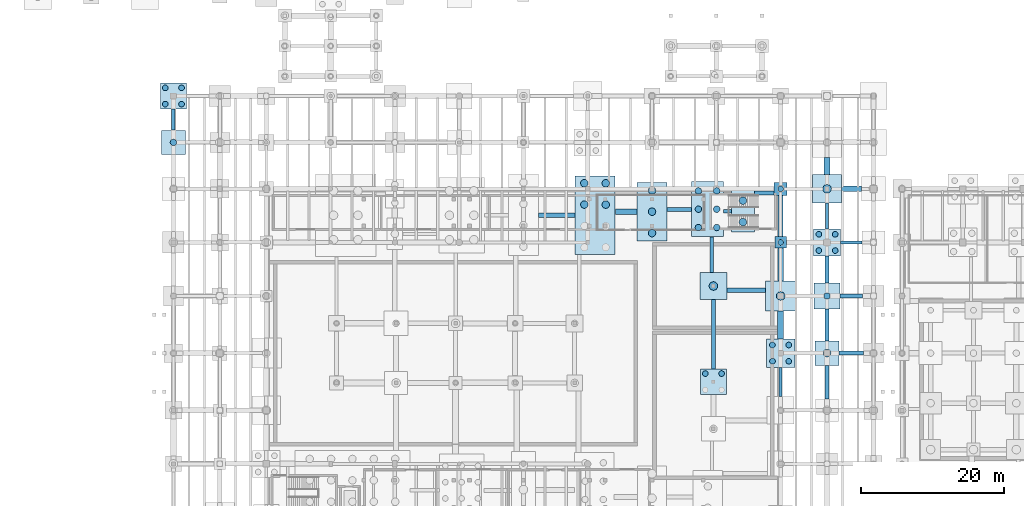
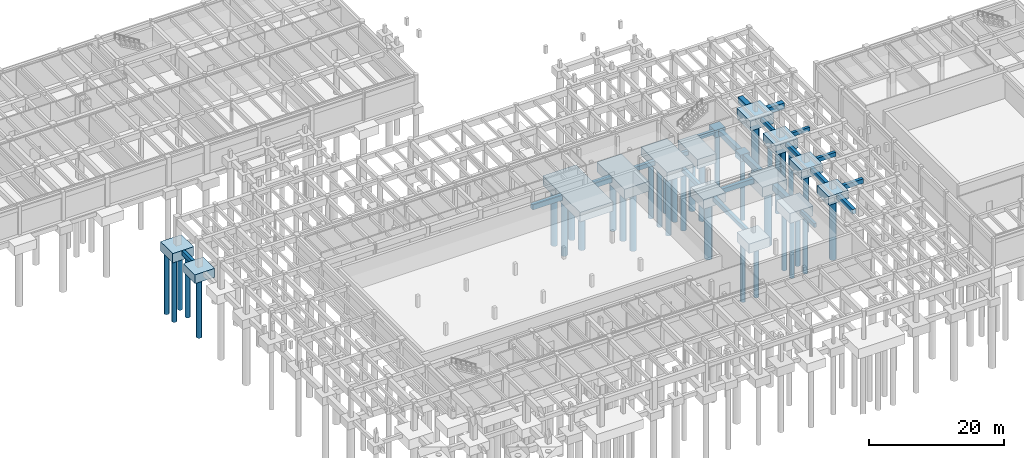
# One storey, part 6 of 36: 38 footings, 37 piles.
"""IFC4 building model written with IfcOpenShell, lengths in metres."""

from ifc_helpers import new_model, si_unit, direction, frame, origin, origin_2d, place, context, subcontext, project, spatial, polyline, circle, outline, extrude, material, material_profile, profile_set, type_object, element, save


model = new_model("IFC4")

# Units and contexts
model_context = context("Model", 3, precision=1e-05, world=origin(), true_north=direction((0.0, 1.0)))
body_context = subcontext(model_context, "Body", "Model", "MODEL_VIEW")
ifc_project = project(units=[si_unit("LENGTHUNIT", "METRE"), si_unit("AREAUNIT", "SQUARE_METRE"), si_unit("VOLUMEUNIT", "CUBIC_METRE"), si_unit("PLANEANGLEUNIT", "RADIAN"), si_unit("MASSUNIT", "GRAM", prefix="KILO"), si_unit("THERMODYNAMICTEMPERATUREUNIT", "KELVIN"), si_unit("POWERUNIT", "WATT")], contexts=[model_context])

# Site, building, storey
site_placement = place(None, origin())
site = spatial("IfcSite", under=ifc_project, at=site_placement, CompositionType="ELEMENT")
building_placement = place(site_placement, origin())
building = spatial("IfcBuilding", under=site, at=building_placement, Name="Tepalcoro Natatorium and Aquatics Centre", CompositionType="ELEMENT")
storey_placement = place(building_placement, frame((0.0, 0.0, -5.199951171875)))
storey = spatial("IfcBuildingStorey", under=building, at=storey_placement, Name="B1", CompositionType="ELEMENT", Elevation=-5.199951171875)

# Footings
ifc_material = material(Name="Concrete C40/50 (fc 40 MPa)", Category="concrete")
footing_type_1 = type_object("IfcFootingType", Name="FB_450x700", PredefinedType="FOOTING_BEAM", material=ifc_material)
footing_1_placement = place(storey_placement, frame((0.0, 0.0, -0.699951171875)))
element("IfcFooting", 1, at=footing_1_placement, inside=storey, type_object=footing_type_1, Name="V1 B1 Foundation Tie Beam X", PredefinedType="FOOTING_BEAM", context=body_context, shape_type="SweptSolid", body=[
    extrude(outline(polyline([(133.405029296875, 51.27490234375), (136.39501953125, 51.27490234375), (136.39501953125, 51.72509765625), (133.405029296875, 51.72509765625), (133.405029296875, 51.27490234375)])), origin(), (0.0, 0.0, 1.0), 0.699951171875),
])
footing_2_placement = place(storey_placement, frame((0.0, 0.0, -1.199951171875)))
element("IfcFooting", 2, at=footing_2_placement, inside=storey, type_object=footing_type_1, Name="V1 B1 Foundation Tie Beam Y", PredefinedType="FOOTING_BEAM", context=body_context, shape_type="SweptSolid", body=[
    extrude(outline(polyline([(125.22509765625, 29.905029296875), (125.22509765625, 33.9951171875), (124.77490234375, 33.9951171875), (124.77490234375, 29.905029296875), (125.22509765625, 29.905029296875)])), origin(), (0.0, 0.0, 1.0), 0.699951171875),
])
footing_3_placement = place(storey_placement, frame((0.0, 0.0, -0.699951171875)))
element("IfcFooting", 3, at=footing_3_placement, inside=storey, type_object=footing_type_1, Name="V1 B1 Foundation Tie Beam Y", PredefinedType="FOOTING_BEAM", context=body_context, shape_type="SweptSolid", body=[
    extrude(outline(polyline([(131.72509765625, 53.405029296875), (131.72509765625, 56.9951171875), (131.27490234375, 56.9951171875), (131.27490234375, 53.405029296875), (131.72509765625, 53.405029296875)])), origin(), (0.0, 0.0, 1.0), 0.699951171875),
])
footing_type_2 = type_object("IfcFootingType", Name="FB_500x750", PredefinedType="FOOTING_BEAM", material=ifc_material)
footing_4_placement = place(storey_placement, frame((0.0, 0.0, -1.25)))
element("IfcFooting", 4, at=footing_4_placement, inside=storey, type_object=footing_type_2, Name="V1 B1 Foundation Tie Beam X", PredefinedType="FOOTING_BEAM", context=body_context, shape_type="SweptSolid", body=[
    extrude(outline(polyline([(117.0048828125, 55.60009765625), (118.1201171875, 55.60009765625), (118.1201171875, 56.10009765625), (117.0048828125, 56.10009765625), (117.0048828125, 55.60009765625)])), origin(), (0.0, 0.0, 1.0), 0.75),
])
footing_5_placement = place(storey_placement, frame((0.0, 0.0, -1.25)))
element("IfcFooting", 5, at=footing_5_placement, inside=storey, type_object=footing_type_2, Name="V1 B1 Foundation Tie Beam X", PredefinedType="FOOTING_BEAM", context=body_context, shape_type="SweptSolid", body=[
    extrude(outline(polyline([(121.330078125, 58.175048828125), (124.094970703125, 58.175048828125), (124.094970703125, 58.675048828125), (121.330078125, 58.675048828125), (121.330078125, 58.175048828125)])), origin(), (0.0, 0.0, 1.0), 0.75),
])
footing_6_placement = place(storey_placement, frame((0.0, 0.0, -0.75)))
element("IfcFooting", 6, at=footing_6_placement, inside=storey, type_object=footing_type_2, Name="V1 B1 Foundation Tie Beam X", PredefinedType="FOOTING_BEAM", context=body_context, shape_type="SweptSolid", body=[
    extrude(outline(polyline([(133.304931640625, 43.75), (136.4951171875, 43.75), (136.4951171875, 44.25), (133.304931640625, 44.25), (133.304931640625, 43.75)])), origin(), (0.0, 0.0, 1.0), 0.75),
])
footing_7_placement = place(storey_placement, frame((0.0, 0.0, -0.75)))
element("IfcFooting", 7, at=footing_7_placement, inside=storey, type_object=footing_type_2, Name="V1 B1 Foundation Tie Beam Y", PredefinedType="FOOTING_BEAM", context=body_context, shape_type="SweptSolid", body=[
    extrude(outline(polyline([(40.25, 67.205078125), (40.25, 70.195068359375), (39.75, 70.195068359375), (39.75, 67.205078125), (40.25, 67.205078125)])), origin(), (0.0, 0.0, 1.0), 0.75),
])
footing_8_placement = place(storey_placement, frame((0.0, 0.0, -1.25)))
element("IfcFooting", 8, at=footing_8_placement, inside=storey, type_object=footing_type_2, Name="V1 B1 Foundation Tie Beam Y", PredefinedType="FOOTING_BEAM", context=body_context, shape_type="SweptSolid", body=[
    extrude(outline(polyline([(115.60009765625, 47.304931640625), (115.60009765625, 52.294921875), (115.10009765625, 52.294921875), (115.10009765625, 47.304931640625), (115.60009765625, 47.304931640625)])), origin(), (0.0, 0.0, 1.0), 0.75),
])
footing_9_placement = place(storey_placement, frame((0.0, 0.0, -0.75)))
element("IfcFooting", 9, at=footing_9_placement, inside=storey, type_object=footing_type_2, Name="V1 B1 Foundation Tie Beam Y", PredefinedType="FOOTING_BEAM", context=body_context, shape_type="SweptSolid", body=[
    extrude(outline(polyline([(131.75, 45.804931640625), (131.75, 49.594970703125), (131.25, 49.594970703125), (131.25, 45.804931640625), (131.75, 45.804931640625)])), origin(), (0.0, 0.0, 1.0), 0.75),
])
footing_type_3 = type_object("IfcFootingType", Name="FB_550x800", PredefinedType="FOOTING_BEAM", material=ifc_material)
footing_10_placement = place(storey_placement, frame((0.0, 0.0, -1.300048828125)))
element("IfcFooting", 10, at=footing_10_placement, inside=storey, type_object=footing_type_3, Name="V1 B1 Foundation Tie Beam X", PredefinedType="FOOTING_BEAM", context=body_context, shape_type="SweptSolid", body=[
    extrude(outline(polyline([(109.10498046875, 55.824951171875), (112.544921875, 55.824951171875), (112.544921875, 56.375), (109.10498046875, 56.375), (109.10498046875, 55.824951171875)])), origin(), (0.0, 0.0, 1.0), 0.800048828125),
])
footing_11_placement = place(storey_placement, frame((0.0, 0.0, -0.800048828125)))
element("IfcFooting", 11, at=footing_11_placement, inside=storey, type_object=footing_type_3, Name="V1 B1 Foundation Tie Beam X", PredefinedType="FOOTING_BEAM", context=body_context, shape_type="SweptSolid", body=[
    extrude(outline(polyline([(133.205078125, 35.72509765625), (136.594970703125, 35.72509765625), (136.594970703125, 36.27490234375), (133.205078125, 36.27490234375), (133.205078125, 35.72509765625)])), origin(), (0.0, 0.0, 1.0), 0.800048828125),
])
footing_12_placement = place(storey_placement, frame((0.0, 0.0, -1.300048828125)))
element("IfcFooting", 12, at=footing_12_placement, inside=storey, type_object=footing_type_3, Name="V1 B1 Foundation Tie Beam Y", PredefinedType="FOOTING_BEAM", context=body_context, shape_type="SweptSolid", body=[
    extrude(outline(polyline([(115.875, 33.804931640625), (115.875, 43.4951171875), (115.324951171875, 43.4951171875), (115.324951171875, 33.804931640625), (115.875, 33.804931640625)])), origin(), (0.0, 0.0, 1.0), 0.800048828125),
])
footing_13_placement = place(storey_placement, frame((0.0, 0.0, -0.800048828125)))
element("IfcFooting", 13, at=footing_13_placement, inside=storey, type_object=footing_type_3, Name="V1 B1 Foundation Tie Beam Y", PredefinedType="FOOTING_BEAM", context=body_context, shape_type="SweptSolid", body=[
    extrude(outline(polyline([(131.77490234375, 37.705078125), (131.77490234375, 42.195068359375), (131.22509765625, 42.195068359375), (131.22509765625, 37.705078125), (131.77490234375, 37.705078125)])), origin(), (0.0, 0.0, 1.0), 0.800048828125),
])
footing_type_4 = type_object("IfcFootingType", Name="FB_600x850", PredefinedType="FOOTING_BEAM", material=ifc_material)
footing_14_placement = place(storey_placement, frame((0.0, 0.0, -1.35009765625)))
element("IfcFooting", 14, at=footing_14_placement, inside=storey, type_object=footing_type_4, Name="V1 B1 Foundation Tie Beam X", PredefinedType="FOOTING_BEAM", context=body_context, shape_type="SweptSolid", body=[
    extrude(outline(polyline([(117.5048828125, 44.5), (122.89501953125, 44.5), (122.89501953125, 45.10009765625), (117.5048828125, 45.10009765625), (117.5048828125, 44.5)])), origin(), (0.0, 0.0, 1.0), 0.85009765625),
])
footing_15_placement = place(storey_placement, frame((0.0, 0.0, -0.85009765625)))
element("IfcFooting", 15, at=footing_15_placement, inside=storey, type_object=footing_type_4, Name="V1 B1 Foundation Tie Beam Y", PredefinedType="FOOTING_BEAM", context=body_context, shape_type="SweptSolid", body=[
    extrude(outline(polyline([(131.800048828125, 29.60498046875), (131.800048828125, 34.294921875), (131.199951171875, 34.294921875), (131.199951171875, 29.60498046875), (131.800048828125, 29.60498046875)])), origin(), (0.0, 0.0, 1.0), 0.85009765625),
])
footing_type_5 = type_object("IfcFootingType", Name="FB_650x900", PredefinedType="FOOTING_BEAM", material=ifc_material)
footing_16_placement = place(storey_placement, frame((0.0, 0.0, -1.400146484375)))
element("IfcFooting", 16, at=footing_16_placement, inside=storey, type_object=footing_type_5, Name="V1 B1 Foundation Tie Beam X", PredefinedType="FOOTING_BEAM", context=body_context, shape_type="SweptSolid", body=[
    extrude(outline(polyline([(91.10498046875, 54.97509765625), (96.195068359375, 54.97509765625), (96.195068359375, 55.625), (91.10498046875, 55.625), (91.10498046875, 54.97509765625)])), origin(), (0.0, 0.0, 1.0), 0.900146484375),
])
footing_type_6 = type_object("IfcFootingType", Name="FB_700x950", PredefinedType="FOOTING_BEAM", material=ifc_material)
footing_17_placement = place(storey_placement, frame((0.0, 0.0, -1.449951171875)))
element("IfcFooting", 17, at=footing_17_placement, inside=storey, type_object=footing_type_6, Name="V1 B1 Foundation Tie Beam Y", PredefinedType="FOOTING_BEAM", context=body_context, shape_type="SweptSolid", body=[
    extrude(outline(polyline([(125.35009765625, 52.304931640625), (125.35009765625, 58.094970703125), (124.64990234375, 58.094970703125), (124.64990234375, 52.304931640625), (125.35009765625, 52.304931640625)])), origin(), (0.0, 0.0, 1.0), 0.949951171875),
])
footing_type_7 = type_object("IfcFootingType", Name="FB_750x1000", PredefinedType="FOOTING_BEAM", material=ifc_material)
footing_18_placement = place(storey_placement, frame((0.0, 0.0, -1.5)))
element("IfcFooting", 18, at=footing_18_placement, inside=storey, type_object=footing_type_7, Name="V1 B1 Foundation Tie Beam X", PredefinedType="FOOTING_BEAM", context=body_context, shape_type="SweptSolid", body=[
    extrude(outline(polyline([(101.85498046875, 55.425048828125), (104.89501953125, 55.425048828125), (104.89501953125, 56.175048828125), (101.85498046875, 56.175048828125), (101.85498046875, 55.425048828125)])), origin(), (0.0, 0.0, 1.0), 1.0),
])
footing_19_placement = place(storey_placement, frame((0.0, 0.0, -1.5)))
element("IfcFooting", 19, at=footing_19_placement, inside=storey, type_object=footing_type_7, Name="V1 B1 Foundation Tie Beam Y", PredefinedType="FOOTING_BEAM", context=body_context, shape_type="SweptSolid", body=[
    extrude(outline(polyline([(125.375, 46.10498046875), (125.375, 50.695068359375), (124.625, 50.695068359375), (124.625, 46.10498046875), (125.375, 46.10498046875)])), origin(), (0.0, 0.0, 1.0), 1.0),
])
footing_type_8 = type_object("IfcFootingType", Name="FB_800x1100", PredefinedType="FOOTING_BEAM", material=ifc_material)
footing_20_placement = place(storey_placement, frame((0.0, 0.0, -1.10009765625)))
element("IfcFooting", 20, at=footing_20_placement, inside=storey, type_object=footing_type_8, Name="V1 B1 Foundation Tie Beam X", PredefinedType="FOOTING_BEAM", context=body_context, shape_type="SweptSolid", body=[
    extrude(outline(polyline([(133.5048828125, 58.60009765625), (136.294921875, 58.60009765625), (136.294921875, 59.39990234375), (133.5048828125, 59.39990234375), (133.5048828125, 58.60009765625)])), origin(), (0.0, 0.0, 1.0), 1.10009765625),
])
footing_21_placement = place(storey_placement, frame((0.0, 0.0, -1.60009765625)))
element("IfcFooting", 21, at=footing_21_placement, inside=storey, type_object=footing_type_8, Name="V1 B1 Foundation Tie Beam Y", PredefinedType="FOOTING_BEAM", context=body_context, shape_type="SweptSolid", body=[
    extrude(outline(polyline([(125.39990234375, 38.0048828125), (125.39990234375, 41.89501953125), (124.60009765625, 41.89501953125), (124.60009765625, 38.0048828125), (125.39990234375, 38.0048828125)])), origin(), (0.0, 0.0, 1.0), 1.10009765625),
])
footing_22_placement = place(storey_placement, frame((0.0, 0.0, -1.10009765625)))
element("IfcFooting", 22, at=footing_22_placement, inside=storey, type_object=footing_type_8, Name="V1 B1 Foundation Tie Beam Y", PredefinedType="FOOTING_BEAM", context=body_context, shape_type="SweptSolid", body=[
    extrude(outline(polyline([(131.89990234375, 61.0048828125), (131.89990234375, 63.39501953125), (131.10009765625, 63.39501953125), (131.10009765625, 61.0048828125), (131.89990234375, 61.0048828125)])), origin(), (0.0, 0.0, 1.0), 1.10009765625),
])
footing_type_9 = type_object("IfcFootingType", Name="PC_1600x1600x1200", PredefinedType="PILE_CAP", material=ifc_material)
footing_23_placement = place(storey_placement, frame((0.0, 0.0, -1.699951171875)))
element("IfcFooting", 23, at=footing_23_placement, inside=storey, type_object=footing_type_9, Name="V1 Reinforced Concrete Pile Cap 106", PredefinedType="PILE_CAP", context=body_context, shape_type="SweptSolid", body=[
    extrude(outline(polyline([(124.199951171875, 50.699951171875), (125.800048828125, 50.699951171875), (125.800048828125, 52.300048828125), (124.199951171875, 52.300048828125), (124.199951171875, 50.699951171875)])), origin(), (0.0, 0.0, 1.0), 1.199951171875),
])
footing_type_10 = type_object("IfcFootingType", Name="PC_1800x1800x1300", PredefinedType="PILE_CAP", material=ifc_material)
footing_24_placement = place(storey_placement, frame((0.0, 0.0, -1.800048828125)))
element("IfcFooting", 24, at=footing_24_placement, inside=storey, type_object=footing_type_10, Name="V1 Reinforced Concrete Pile Cap 105", PredefinedType="PILE_CAP", context=body_context, shape_type="SweptSolid", body=[
    extrude(outline(polyline([(124.10009765625, 58.10009765625), (125.89990234375, 58.10009765625), (125.89990234375, 59.89990234375), (124.10009765625, 59.89990234375), (124.10009765625, 58.10009765625)])), origin(), (0.0, 0.0, 1.0), 1.300048828125),
])
footing_type_11 = type_object("IfcFootingType", Name="PC_3000x3000x1600", PredefinedType="PILE_CAP", material=ifc_material)
footing_25_placement = place(storey_placement, frame((0.0, 0.0, -2.10009765625)))
element("IfcFooting", 25, at=footing_25_placement, inside=storey, type_object=footing_type_11, Name="V1 Reinforced Concrete Pile Cap 86", PredefinedType="PILE_CAP", context=body_context, shape_type="SweptSolid", body=[
    extrude(outline(polyline([(112.550048828125, 52.300048828125), (117.0, 52.300048828125), (117.0, 60.0), (112.550048828125, 60.0), (112.550048828125, 52.300048828125)])), origin(), (0.0, 0.0, 1.0), 1.60009765625),
])
footing_type_12 = type_object("IfcFootingType", Name="PC_3200x5800x1700", PredefinedType="PILE_CAP", material=ifc_material)
footing_26_placement = place(storey_placement, frame((0.0, 0.0, -2.199951171875)))
element("IfcFooting", 26, at=footing_26_placement, inside=storey, type_object=footing_type_12, Name="V1 Reinforced Concrete Pile Cap 95", PredefinedType="PILE_CAP", context=body_context, shape_type="SweptSolid", body=[
    extrude(outline(polyline([(118.125, 52.949951171875), (121.324951171875, 52.949951171875), (121.324951171875, 58.75), (118.125, 58.75), (118.125, 52.949951171875)])), origin(), (0.0, 0.0, 1.0), 1.699951171875),
])
footing_type_13 = type_object("IfcFootingType", Name="PC_3400x3400x1600", PredefinedType="PILE_CAP", material=ifc_material)
footing_27_placement = place(storey_placement, frame((0.0, 0.0, -1.60009765625)))
element("IfcFooting", 27, at=footing_27_placement, inside=storey, type_object=footing_type_13, Name="V1 Reinforced Concrete Pile Cap 2", PredefinedType="PILE_CAP", context=body_context, shape_type="SweptSolid", body=[
    extrude(outline(polyline([(38.300048828125, 63.800048828125), (41.699951171875, 63.800048828125), (41.699951171875, 67.199951171875), (38.300048828125, 67.199951171875), (38.300048828125, 63.800048828125)])), origin(), (0.0, 0.0, 1.0), 1.60009765625),
])
footing_28_placement = place(storey_placement, frame((0.0, 0.0, -1.60009765625)))
element("IfcFooting", 28, at=footing_28_placement, inside=storey, type_object=footing_type_13, Name="V1 Reinforced Concrete Pile Cap 111", PredefinedType="PILE_CAP", context=body_context, shape_type="SweptSolid", body=[
    extrude(outline(polyline([(129.800048828125, 34.300048828125), (133.199951171875, 34.300048828125), (133.199951171875, 37.699951171875), (129.800048828125, 37.699951171875), (129.800048828125, 34.300048828125)])), origin(), (0.0, 0.0, 1.0), 1.60009765625),
])
footing_type_14 = type_object("IfcFootingType", Name="PC_3600x3600x1700", PredefinedType="PILE_CAP", material=ifc_material)
footing_29_placement = place(storey_placement, frame((0.0, 0.0, -1.699951171875)))
element("IfcFooting", 29, at=footing_29_placement, inside=storey, type_object=footing_type_14, Name="V1 Reinforced Concrete Pile Cap 1", PredefinedType="PILE_CAP", context=body_context, shape_type="SweptSolid", body=[
    extrude(outline(polyline([(38.199951171875, 70.199951171875), (41.800048828125, 70.199951171875), (41.800048828125, 73.800048828125), (38.199951171875, 73.800048828125), (38.199951171875, 70.199951171875)])), origin(), (0.0, 0.0, 1.0), 1.699951171875),
])
footing_30_placement = place(storey_placement, frame((0.0, 0.0, -2.199951171875)))
element("IfcFooting", 30, at=footing_30_placement, inside=storey, type_object=footing_type_14, Name="V1 Reinforced Concrete Pile Cap 75", PredefinedType="PILE_CAP", context=body_context, shape_type="SweptSolid", body=[
    extrude(outline(polyline([(96.199951171875, 49.800048828125), (101.85009765625, 49.800048828125), (101.85009765625, 60.800048828125), (96.199951171875, 60.800048828125), (96.199951171875, 49.800048828125)])), origin(), (0.0, 0.0, 1.0), 1.699951171875),
])
footing_31_placement = place(storey_placement, frame((0.0, 0.0, -2.199951171875)))
element("IfcFooting", 31, at=footing_31_placement, inside=storey, type_object=footing_type_14, Name="V1 Reinforced Concrete Pile Cap 89", PredefinedType="PILE_CAP", context=body_context, shape_type="SweptSolid", body=[
    extrude(outline(polyline([(113.800048828125, 30.199951171875), (117.39990234375, 30.199951171875), (117.39990234375, 33.800048828125), (113.800048828125, 33.800048828125), (113.800048828125, 30.199951171875)])), origin(), (0.0, 0.0, 1.0), 1.699951171875),
])
footing_32_placement = place(storey_placement, frame((0.0, 0.0, -1.699951171875)))
element("IfcFooting", 32, at=footing_32_placement, inside=storey, type_object=footing_type_14, Name="V1 Reinforced Concrete Pile Cap 110", PredefinedType="PILE_CAP", context=body_context, shape_type="SweptSolid", body=[
    extrude(outline(polyline([(129.699951171875, 42.199951171875), (133.300048828125, 42.199951171875), (133.300048828125, 45.800048828125), (129.699951171875, 45.800048828125), (129.699951171875, 42.199951171875)])), origin(), (0.0, 0.0, 1.0), 1.699951171875),
])
footing_type_15 = type_object("IfcFootingType", Name="PC_3800x3800x1700", PredefinedType="PILE_CAP", material=ifc_material)
footing_33_placement = place(storey_placement, frame((0.0, 0.0, -2.199951171875)))
element("IfcFooting", 33, at=footing_33_placement, inside=storey, type_object=footing_type_15, Name="V1 Reinforced Concrete Pile Cap 88", PredefinedType="PILE_CAP", context=body_context, shape_type="SweptSolid", body=[
    extrude(outline(polyline([(113.699951171875, 43.5), (117.5, 43.5), (117.5, 47.300048828125), (113.699951171875, 47.300048828125), (113.699951171875, 43.5)])), origin(), (0.0, 0.0, 1.0), 1.699951171875),
])
footing_34_placement = place(storey_placement, frame((0.0, 0.0, -1.699951171875)))
element("IfcFooting", 34, at=footing_34_placement, inside=storey, type_object=footing_type_15, Name="V1 Reinforced Concrete Pile Cap 109", PredefinedType="PILE_CAP", context=body_context, shape_type="SweptSolid", body=[
    extrude(outline(polyline([(129.60009765625, 49.60009765625), (133.39990234375, 49.60009765625), (133.39990234375, 53.39990234375), (129.60009765625, 53.39990234375), (129.60009765625, 49.60009765625)])), origin(), (0.0, 0.0, 1.0), 1.699951171875),
])
footing_type_16 = type_object("IfcFootingType", Name="PC_4000x4000x1800", PredefinedType="PILE_CAP", material=ifc_material)
footing_35_placement = place(storey_placement, frame((0.0, 0.0, -2.300048828125)))
element("IfcFooting", 35, at=footing_35_placement, inside=storey, type_object=footing_type_16, Name="V1 Reinforced Concrete Pile Cap 97", PredefinedType="PILE_CAP", context=body_context, shape_type="SweptSolid", body=[
    extrude(outline(polyline([(123.0, 34.0), (127.0, 34.0), (127.0, 38.0), (123.0, 38.0), (123.0, 34.0)])), origin(), (0.0, 0.0, 1.0), 1.800048828125),
])
footing_36_placement = place(storey_placement, frame((0.0, 0.0, -1.800048828125)))
element("IfcFooting", 36, at=footing_36_placement, inside=storey, type_object=footing_type_16, Name="V1 Reinforced Concrete Pile Cap 108", PredefinedType="PILE_CAP", context=body_context, shape_type="SweptSolid", body=[
    extrude(outline(polyline([(129.5, 57.0), (133.5, 57.0), (133.5, 61.0), (129.5, 61.0), (129.5, 57.0)])), origin(), (0.0, 0.0, 1.0), 1.800048828125),
])
footing_type_17 = type_object("IfcFootingType", Name="PC_4200x4200x1800", PredefinedType="PILE_CAP", material=ifc_material)
footing_37_placement = place(storey_placement, frame((0.0, 0.0, -2.300048828125)))
element("IfcFooting", 37, at=footing_37_placement, inside=storey, type_object=footing_type_17, Name="V1 Reinforced Concrete Pile Cap 79", PredefinedType="PILE_CAP", context=body_context, shape_type="SweptSolid", body=[
    extrude(outline(polyline([(104.89990234375, 51.699951171875), (109.10009765625, 51.699951171875), (109.10009765625, 59.89990234375), (104.89990234375, 59.89990234375), (104.89990234375, 51.699951171875)])), origin(), (0.0, 0.0, 1.0), 1.800048828125),
])
footing_38_placement = place(storey_placement, frame((0.0, 0.0, -2.300048828125)))
element("IfcFooting", 38, at=footing_38_placement, inside=storey, type_object=footing_type_17, Name="V1 Reinforced Concrete Pile Cap 96", PredefinedType="PILE_CAP", context=body_context, shape_type="SweptSolid", body=[
    extrude(outline(polyline([(122.89990234375, 41.89990234375), (127.10009765625, 41.89990234375), (127.10009765625, 46.10009765625), (122.89990234375, 46.10009765625), (122.89990234375, 41.89990234375)])), origin(), (0.0, 0.0, 1.0), 1.800048828125),
])

# Piles
ifc_material_profile_1 = material_profile(ifc_material, circle(Radius=0.52490234375, at=origin_2d()), Name="PILE_D1050")
ifc_profile_set_1 = profile_set([ifc_material_profile_1], Name="Concrete C40/50 (fc 40 MPa)")
pile_type_1 = type_object("IfcPileType", Name="PILE_D1050", PredefinedType="BORED", material=ifc_profile_set_1)
for number, where, z_axis, x_axis, name in (
    (39, (97.52880859375, 56.796142578125, -2.10009765625), (0.0, 0.0, -1.0), (1.0, 0.0, 0.0), "Bored Pile PILE_D1050 under PC_V1_0074"),
    (40, (97.52880859375, 59.788818359375, -2.10009765625), (0.0, 0.0, -1.0), (1.0, 0.0, 0.0), "Bored Pile PILE_D1050 under PC_V1_0074"),
    (41, (100.521240234375, 56.796142578125, -2.10009765625), (0.0, 0.0, -1.0), (1.0, 0.0, 0.0), "Bored Pile PILE_D1050 under PC_V1_0074"),
    (42, (100.521240234375, 59.788818359375, -2.10009765625), (0.0, 0.0, -1.0), (1.0, 0.0, 0.0), "Bored Pile PILE_D1050 under PC_V1_0074"),
):
    element("IfcPile", number, at=place(storey_placement, frame(where, z_axis=z_axis, x_axis=x_axis)), inside=storey, type_object=pile_type_1, Name=name, PredefinedType="BORED", context=body_context, shape_type="SweptSolid", body=[
        extrude(circle(Radius=0.52490234375, at=origin_2d()), origin(), (0.0, 0.0, 1.0), 10.699951171875),
    ])
for number, where, z_axis, x_axis, name in (
    (43, (107.0, 52.8076171875, -2.199951171875), (0.0, 0.0, -1.0), (1.0, 0.0, 0.0), "Bored Pile PILE_D1050 under PC_V1_0078"),
    (44, (107.0, 55.800048828125, -2.199951171875), (0.0, 0.0, -1.0), (1.0, 0.0, 0.0), "Bored Pile PILE_D1050 under PC_V1_0078"),
    (45, (107.0, 58.79248046875, -2.199951171875), (0.0, 0.0, -1.0), (1.0, 0.0, 0.0), "Bored Pile PILE_D1050 under PC_V1_0078"),
):
    element("IfcPile", number, at=place(storey_placement, frame(where, z_axis=z_axis, x_axis=x_axis)), inside=storey, type_object=pile_type_1, Name=name, PredefinedType="BORED", context=body_context, shape_type="SweptSolid", body=[
        extrude(circle(Radius=0.52490234375, at=origin_2d()), origin(), (0.0, 0.0, 1.0), 10.60009765625),
    ])
for number, where, z_axis, x_axis, name in (
    (46, (119.72509765625, 54.353759765625, -2.10009765625), (0.0, 0.0, -1.0), (1.0, 0.0, 0.0), "Bored Pile PILE_D1050 under PC_V1_0094"),
    (47, (119.72509765625, 57.34619140625, -2.10009765625), (0.0, 0.0, -1.0), (1.0, 0.0, 0.0), "Bored Pile PILE_D1050 under PC_V1_0094"),
):
    element("IfcPile", number, at=place(storey_placement, frame(where, z_axis=z_axis, x_axis=x_axis)), inside=storey, type_object=pile_type_1, Name=name, PredefinedType="BORED", context=body_context, shape_type="SweptSolid", body=[
        extrude(circle(Radius=0.52490234375, at=origin_2d()), origin(), (0.0, 0.0, 1.0), 10.699951171875),
    ])
pile_1_placement = place(storey_placement, frame((131.5, 36.0, -1.5), z_axis=(0.0, 0.0, -1.0), x_axis=(1.0, 0.0, 0.0)))
element("IfcPile", 48, at=pile_1_placement, inside=storey, type_object=pile_type_1, Name="Bored Pile PILE_D1050 under PC_V1_0110", PredefinedType="BORED", context=body_context, shape_type="SweptSolid", body=[
    extrude(circle(Radius=0.52490234375, at=origin_2d()), origin(), (0.0, 0.0, 1.0), 11.300048828125),
])
ifc_material_profile_2 = material_profile(ifc_material, circle(Radius=0.60009765625, at=origin_2d()), Name="PILE_D1200")
ifc_profile_set_2 = profile_set([ifc_material_profile_2], Name="Concrete C40/50 (fc 40 MPa)")
pile_type_2 = type_object("IfcPileType", Name="PILE_D1200", PredefinedType="BORED", material=ifc_profile_set_2)
pile_2_placement = place(storey_placement, frame((115.60009765625, 45.39990234375, -2.10009765625), z_axis=(0.0, 0.0, -1.0), x_axis=(1.0, 0.0, 0.0)))
element("IfcPile", 49, at=pile_2_placement, inside=storey, type_object=pile_type_2, Name="Bored Pile PILE_D1200 under PC_V1_0087", PredefinedType="BORED", context=body_context, shape_type="SweptSolid", body=[
    extrude(circle(Radius=0.60009765625, at=origin_2d()), origin(), (0.0, 0.0, 1.0), 10.699951171875),
])
pile_3_placement = place(storey_placement, frame((125.0, 44.0, -2.199951171875), z_axis=(0.0, 0.0, -1.0), x_axis=(1.0, 0.0, 0.0)))
element("IfcPile", 50, at=pile_3_placement, inside=storey, type_object=pile_type_2, Name="Bored Pile PILE_D1200 under PC_V1_0095", PredefinedType="BORED", context=body_context, shape_type="SweptSolid", body=[
    extrude(circle(Radius=0.60009765625, at=origin_2d()), origin(), (0.0, 0.0, 1.0), 10.60009765625),
])
pile_4_placement = place(storey_placement, frame((131.5, 59.0, -1.699951171875), z_axis=(0.0, 0.0, -1.0), x_axis=(1.0, 0.0, 0.0)))
element("IfcPile", 51, at=pile_4_placement, inside=storey, type_object=pile_type_2, Name="Bored Pile PILE_D1200 under PC_V1_0107", PredefinedType="BORED", context=body_context, shape_type="SweptSolid", body=[
    extrude(circle(Radius=0.60009765625, at=origin_2d()), origin(), (0.0, 0.0, 1.0), 11.10009765625),
])
ifc_material_profile_3 = material_profile(ifc_material, circle(Radius=0.39990234375, at=origin_2d()), Name="PILE_D800")
ifc_profile_set_3 = profile_set([ifc_material_profile_3], Name="Concrete C40/50 (fc 40 MPa)")
pile_type_3 = type_object("IfcPileType", Name="PILE_D800", PredefinedType="BORED", material=ifc_profile_set_3)
for number, where, z_axis, x_axis, name in (
    (52, (38.860107421875, 70.860107421875, -1.60009765625), (0.0, 0.0, -1.0), (1.0, 0.0, 0.0), "Bored Pile PILE_D800 under PC_V1_0000"),
    (53, (38.860107421875, 73.139892578125, -1.60009765625), (0.0, 0.0, -1.0), (1.0, 0.0, 0.0), "Bored Pile PILE_D800 under PC_V1_0000"),
    (54, (41.139892578125, 70.860107421875, -1.60009765625), (0.0, 0.0, -1.0), (1.0, 0.0, 0.0), "Bored Pile PILE_D800 under PC_V1_0000"),
    (55, (41.139892578125, 73.139892578125, -1.60009765625), (0.0, 0.0, -1.0), (1.0, 0.0, 0.0), "Bored Pile PILE_D800 under PC_V1_0000"),
):
    element("IfcPile", number, at=place(storey_placement, frame(where, z_axis=z_axis, x_axis=x_axis)), inside=storey, type_object=pile_type_3, Name=name, PredefinedType="BORED", context=body_context, shape_type="SweptSolid", body=[
        extrude(circle(Radius=0.39990234375, at=origin_2d()), origin(), (0.0, 0.0, 1.0), 11.199951171875),
    ])
for number, where, z_axis, x_axis, name in (
    (56, (114.4599609375, 33.139892578125, -2.10009765625), (0.0, 0.0, -1.0), (1.0, 0.0, 0.0), "Bored Pile PILE_D800 under PC_V1_0088"),
    (57, (116.739990234375, 33.139892578125, -2.10009765625), (0.0, 0.0, -1.0), (1.0, 0.0, 0.0), "Bored Pile PILE_D800 under PC_V1_0088"),
):
    element("IfcPile", number, at=place(storey_placement, frame(where, z_axis=z_axis, x_axis=x_axis)), inside=storey, type_object=pile_type_3, Name=name, PredefinedType="BORED", context=body_context, shape_type="SweptSolid", body=[
        extrude(circle(Radius=0.39990234375, at=origin_2d()), origin(), (0.0, 0.0, 1.0), 10.699951171875),
    ])
for number, where, z_axis, x_axis, name in (
    (58, (123.860107421875, 34.860107421875, -2.199951171875), (0.0, 0.0, -1.0), (1.0, 0.0, 0.0), "Bored Pile PILE_D800 under PC_V1_0096"),
    (59, (123.860107421875, 37.139892578125, -2.199951171875), (0.0, 0.0, -1.0), (1.0, 0.0, 0.0), "Bored Pile PILE_D800 under PC_V1_0096"),
    (60, (126.139892578125, 34.860107421875, -2.199951171875), (0.0, 0.0, -1.0), (1.0, 0.0, 0.0), "Bored Pile PILE_D800 under PC_V1_0096"),
    (61, (126.139892578125, 37.139892578125, -2.199951171875), (0.0, 0.0, -1.0), (1.0, 0.0, 0.0), "Bored Pile PILE_D800 under PC_V1_0096"),
):
    element("IfcPile", number, at=place(storey_placement, frame(where, z_axis=z_axis, x_axis=x_axis)), inside=storey, type_object=pile_type_3, Name=name, PredefinedType="BORED", context=body_context, shape_type="SweptSolid", body=[
        extrude(circle(Radius=0.39990234375, at=origin_2d()), origin(), (0.0, 0.0, 1.0), 10.60009765625),
    ])
pile_5_placement = place(storey_placement, frame((125.0, 59.0, -1.699951171875), z_axis=(0.0, 0.0, -1.0), x_axis=(1.0, 0.0, 0.0)))
element("IfcPile", 62, at=pile_5_placement, inside=storey, type_object=pile_type_3, Name="Bored Pile PILE_D800 under PC_V1_0104", PredefinedType="BORED", context=body_context, shape_type="SweptSolid", body=[
    extrude(circle(Radius=0.39990234375, at=origin_2d()), origin(), (0.0, 0.0, 1.0), 11.10009765625),
])
for number, where, z_axis, x_axis, name in (
    (63, (125.0, 51.5, -1.60009765625), (0.0, 0.0, -1.0), (1.0, 0.0, 0.0), "Bored Pile PILE_D800 under PC_V1_0105"),
    (64, (130.360107421875, 50.360107421875, -1.60009765625), (0.0, 0.0, -1.0), (1.0, 0.0, 0.0), "Bored Pile PILE_D800 under PC_V1_0108"),
    (65, (130.360107421875, 52.639892578125, -1.60009765625), (0.0, 0.0, -1.0), (1.0, 0.0, 0.0), "Bored Pile PILE_D800 under PC_V1_0108"),
    (66, (132.639892578125, 50.360107421875, -1.60009765625), (0.0, 0.0, -1.0), (1.0, 0.0, 0.0), "Bored Pile PILE_D800 under PC_V1_0108"),
    (67, (132.639892578125, 52.639892578125, -1.60009765625), (0.0, 0.0, -1.0), (1.0, 0.0, 0.0), "Bored Pile PILE_D800 under PC_V1_0108"),
):
    element("IfcPile", number, at=place(storey_placement, frame(where, z_axis=z_axis, x_axis=x_axis)), inside=storey, type_object=pile_type_3, Name=name, PredefinedType="BORED", context=body_context, shape_type="SweptSolid", body=[
        extrude(circle(Radius=0.39990234375, at=origin_2d()), origin(), (0.0, 0.0, 1.0), 11.199951171875),
    ])
ifc_material_profile_4 = material_profile(ifc_material, circle(Radius=0.449951171875, at=origin_2d()), Name="PILE_D900")
ifc_profile_set_4 = profile_set([ifc_material_profile_4], Name="Concrete C40/50 (fc 40 MPa)")
pile_type_4 = type_object("IfcPileType", Name="PILE_D900", PredefinedType="BORED", material=ifc_profile_set_4)
pile_6_placement = place(storey_placement, frame((40.0, 65.5, -1.5), z_axis=(0.0, 0.0, -1.0), x_axis=(1.0, 0.0, 0.0)))
element("IfcPile", 68, at=pile_6_placement, inside=storey, type_object=pile_type_4, Name="Bored Pile PILE_D900 under PC_V1_0001", PredefinedType="BORED", context=body_context, shape_type="SweptSolid", body=[
    extrude(circle(Radius=0.449951171875, at=origin_2d()), origin(), (0.0, 0.0, 1.0), 11.300048828125),
])
for number, where, z_axis, x_axis, name in (
    (69, (113.492431640625, 53.5849609375, -2.0), (0.0, 0.0, -1.0), (1.0, 0.0, 0.0), "Bored Pile PILE_D900 under PC_V1_0085"),
    (70, (113.492431640625, 56.14990234375, -2.0), (0.0, 0.0, -1.0), (1.0, 0.0, 0.0), "Bored Pile PILE_D900 under PC_V1_0085"),
    (71, (113.492431640625, 58.715087890625, -2.0), (0.0, 0.0, -1.0), (1.0, 0.0, 0.0), "Bored Pile PILE_D900 under PC_V1_0085"),
    (72, (116.0576171875, 53.5849609375, -2.0), (0.0, 0.0, -1.0), (1.0, 0.0, 0.0), "Bored Pile PILE_D900 under PC_V1_0085"),
    (73, (116.0576171875, 56.14990234375, -2.0), (0.0, 0.0, -1.0), (1.0, 0.0, 0.0), "Bored Pile PILE_D900 under PC_V1_0085"),
    (74, (116.0576171875, 58.715087890625, -2.0), (0.0, 0.0, -1.0), (1.0, 0.0, 0.0), "Bored Pile PILE_D900 under PC_V1_0085"),
):
    element("IfcPile", number, at=place(storey_placement, frame(where, z_axis=z_axis, x_axis=x_axis)), inside=storey, type_object=pile_type_4, Name=name, PredefinedType="BORED", context=body_context, shape_type="SweptSolid", body=[
        extrude(circle(Radius=0.449951171875, at=origin_2d()), origin(), (0.0, 0.0, 1.0), 10.800048828125),
    ])
pile_7_placement = place(storey_placement, frame((131.5, 44.0, -1.60009765625), z_axis=(0.0, 0.0, -1.0), x_axis=(1.0, 0.0, 0.0)))
element("IfcPile", 75, at=pile_7_placement, inside=storey, type_object=pile_type_4, Name="Bored Pile PILE_D900 under PC_V1_0109", PredefinedType="BORED", context=body_context, shape_type="SweptSolid", body=[
    extrude(circle(Radius=0.449951171875, at=origin_2d()), origin(), (0.0, 0.0, 1.0), 11.199951171875),
])

save(model, "model.ifc")
